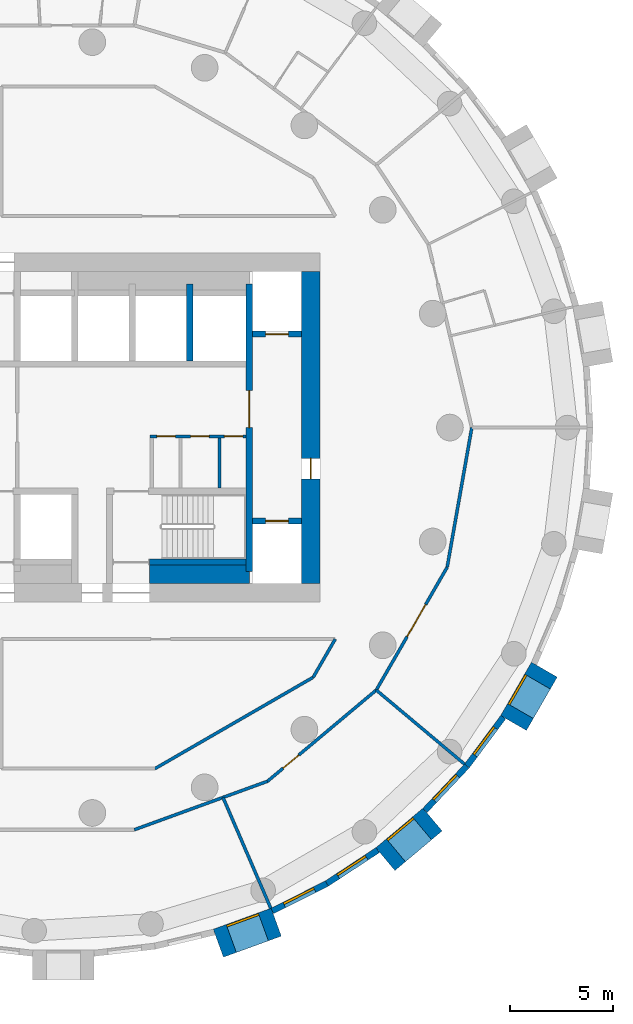
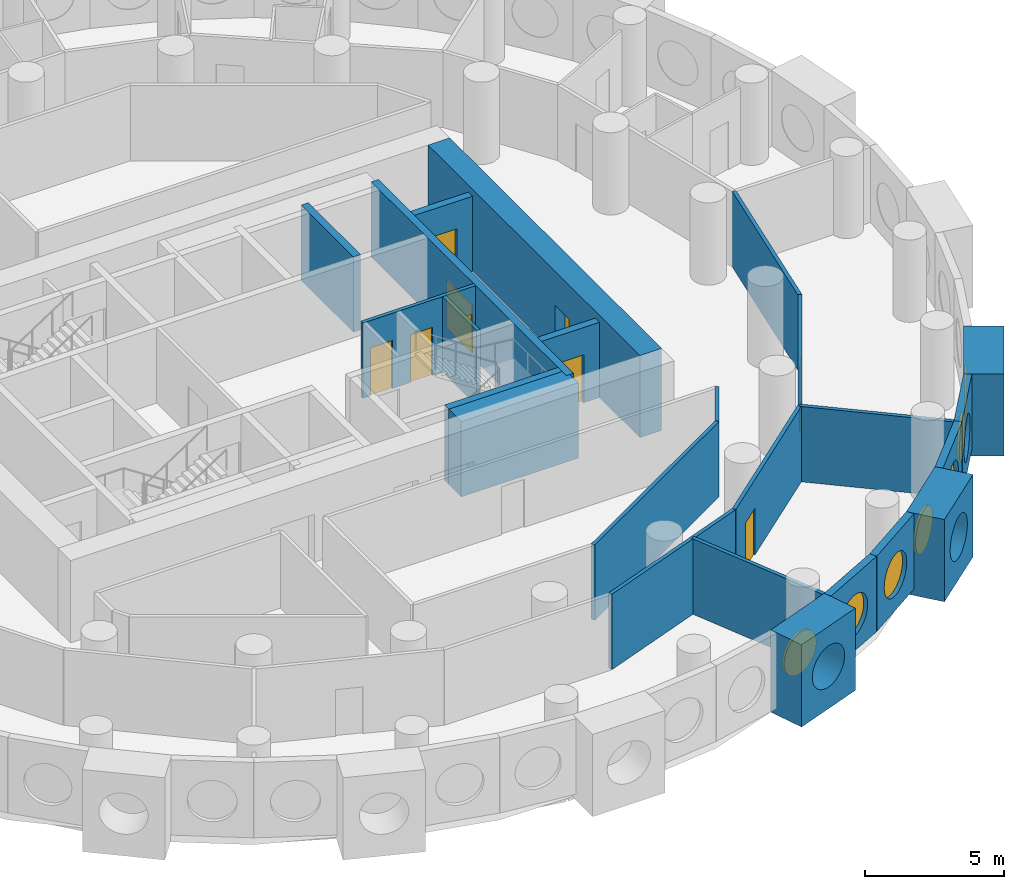
# One storey, part 4 of 9: 24 walls, 9 doors, 7 windows, 16 openings.
"""IFC4 building model written with IfcOpenShell, lengths in metres."""

from ifc_helpers import new_model, si_unit, direction, frame, frame_2d, origin, origin_2d, place, context, subcontext, project, spatial, rectangle, circle, extrude, material, layer, layer_set, type_object, element, fill, save


model = new_model("IFC4")

# Units and contexts
model_context = context("Model", 3, precision=1e-05, world=origin(), true_north=direction((0.0, 1.0)))
body_context = subcontext(model_context, "Body", "Model", "MODEL_VIEW")
ifc_project = project(units=[si_unit("LENGTHUNIT", "METRE"), si_unit("AREAUNIT", "SQUARE_METRE"), si_unit("VOLUMEUNIT", "CUBIC_METRE"), si_unit("PLANEANGLEUNIT", "RADIAN"), si_unit("MASSUNIT", "GRAM", prefix="KILO")], contexts=[model_context])

# Site, building, storey
site_placement = place(None, origin())
site = spatial("IfcSite", under=ifc_project, at=site_placement, CompositionType="ELEMENT")
building_placement = place(site_placement, origin())
building = spatial("IfcBuilding", under=site, at=building_placement, Name="Tracery Tower", CompositionType="ELEMENT")
storey_placement = place(building_placement, frame((0.0, 0.0, 169.199951171875)))
storey = spatial("IfcBuildingStorey", under=building, at=storey_placement, Name="L43", CompositionType="ELEMENT", Elevation=169.199951171875)

# Wall, openings, doors
ifc_material_1 = material(Name="Plasterboard on steel studs", Category="steel")
ifc_layer_1 = layer(ifc_material_1, 0.14990234375)
ifc_layer_set_1 = layer_set([ifc_layer_1], Name="Core room partition 150")
wall_type_1 = type_object("IfcWallType", Name="Core room partition 150", PredefinedType="SOLIDWALL", material=ifc_layer_set_1)
wall_1_placement = place(storey_placement, frame((4.22509765625, -0.425048828125, 0.0), z_axis=(0.0, 0.0, 1.0), x_axis=(1.0, 0.0, 0.0)))
wall_1 = element("IfcWall", 1, at=wall_1_placement, inside=storey, type_object=wall_type_1, Name="L43 slot N", PredefinedType="SOLIDWALL", context=body_context, shape_type="SweptSolid", body=[
    extrude(rectangle(XDim=4.6748046875, YDim=0.14990234375, at=frame_2d((2.33740234375, 0.0))), origin(), (0.0, 0.0, 1.0), 3.300048828125),
])
opening_1_placement = place(wall_1_placement, frame((0.324951171875, 0.0, 0.0)))
opening_1 = element("IfcOpeningElement", 2, at=opening_1_placement, cuts=wall_1, Name="Opening KD27", PredefinedType="OPENING", context=body_context, shape_type="SweptSolid", body=[
    extrude(rectangle(XDim=0.89990234375, YDim=2.10009765625, at=frame_2d((0.449951171875, 1.050048828125))), frame((0.0, 0.074951171875, 0.0), z_axis=(0.0, -1.0, 0.0), x_axis=(1.0, 0.0, 0.0)), (0.0, 0.0, 1.0), 0.14990234375),
])
opening_2_placement = place(wall_1_placement, frame((1.97509765625, 0.0, 0.0)))
opening_2 = element("IfcOpeningElement", 3, at=opening_2_placement, cuts=wall_1, Name="Opening KD21", PredefinedType="OPENING", context=body_context, shape_type="SweptSolid", body=[
    extrude(rectangle(XDim=0.89990234375, YDim=2.10009765625, at=frame_2d((0.449951171875, 1.050048828125))), frame((0.0, 0.074951171875, 0.0), z_axis=(0.0, -1.0, 0.0), x_axis=(1.0, 0.0, 0.0)), (0.0, 0.0, 1.0), 0.14990234375),
])
opening_3_placement = place(wall_1_placement, frame((3.612548828125, 0.0, 0.0)))
opening_3 = element("IfcOpeningElement", 4, at=opening_3_placement, cuts=wall_1, Name="Opening KD32", PredefinedType="OPENING", context=body_context, shape_type="SweptSolid", body=[
    extrude(rectangle(XDim=0.89990234375, YDim=2.10009765625, at=frame_2d((0.449951171875, 1.050048828125))), frame((0.0, 0.074951171875, 0.0), z_axis=(0.0, -1.0, 0.0), x_axis=(1.0, 0.0, 0.0)), (0.0, 0.0, 1.0), 0.14990234375),
])
ifc_material_2 = material(Name="Timber door leaf", Category="wood")
door_type_1 = type_object("IfcDoorType", Name="Core WC door 900", OperationType="NOTDEFINED", PredefinedType="DOOR", material=ifc_material_2)
door_1_placement = place(opening_2_placement, origin())
door_1 = element("IfcDoor", 5, at=door_1_placement, inside=storey, type_object=door_type_1, Name="Core door", OperationType="SINGLE_SWING_LEFT", OverallHeight=2.10009765625, OverallWidth=0.89990234375, PredefinedType="DOOR", context=body_context, shape_type="SweptSolid", body=[
    extrude(rectangle(XDim=0.89990234375, YDim=2.10009765625, at=frame_2d((0.449951171875, 1.050048828125))), frame((0.0, 0.02490234375, 0.0), z_axis=(0.0, -1.0, 0.0), x_axis=(1.0, 0.0, 0.0)), (0.0, 0.0, 1.0), 0.050048828125),
])
fill(opening_2, door_1)
ifc_material_3 = material(Name="Steel fire door", Category="steel")
door_type_2 = type_object("IfcDoorType", Name="Core riser door 900", OperationType="NOTDEFINED", PredefinedType="DOOR", material=ifc_material_3)
door_2_placement = place(opening_3_placement, origin())
door_2 = element("IfcDoor", 6, at=door_2_placement, inside=storey, type_object=door_type_2, Name="Core door", OperationType="SINGLE_SWING_RIGHT", OverallHeight=2.10009765625, OverallWidth=0.89990234375, PredefinedType="DOOR", context=body_context, shape_type="SweptSolid", body=[
    extrude(rectangle(XDim=0.89990234375, YDim=2.10009765625, at=frame_2d((0.449951171875, 1.050048828125))), frame((0.0, 0.02490234375, 0.0), z_axis=(0.0, -1.0, 0.0), x_axis=(1.0, 0.0, 0.0)), (0.0, 0.0, 1.0), 0.050048828125),
])
fill(opening_3, door_2)
ifc_material_4 = material(Name="Timber door leaf", Category="wood")
door_type_3 = type_object("IfcDoorType", Name="Core store door 900", OperationType="NOTDEFINED", PredefinedType="DOOR", material=ifc_material_4)
door_3_placement = place(opening_1_placement, origin())
door_3 = element("IfcDoor", 7, at=door_3_placement, inside=storey, type_object=door_type_3, Name="Core door", OperationType="SINGLE_SWING_RIGHT", OverallHeight=2.10009765625, OverallWidth=0.89990234375, PredefinedType="DOOR", context=body_context, shape_type="SweptSolid", body=[
    extrude(rectangle(XDim=0.89990234375, YDim=2.10009765625, at=frame_2d((0.449951171875, 1.050048828125))), frame((0.0, 0.02490234375, 0.0), z_axis=(0.0, -1.0, 0.0), x_axis=(1.0, 0.0, 0.0)), (0.0, 0.0, 1.0), 0.050048828125),
])
fill(opening_1, door_3)

# Walls
wall_2_placement = place(storey_placement, frame((7.60009765625, -2.949951171875, 0.0), z_axis=(0.0, 0.0, 1.0), x_axis=(0.0, 1.0, 0.0)))
element("IfcWall", 8, at=wall_2_placement, inside=storey, type_object=wall_type_1, Name="L43 slot sep 2", PredefinedType="SOLIDWALL", context=body_context, shape_type="SweptSolid", body=[
    extrude(rectangle(XDim=2.449951171875, YDim=0.14990234375, at=frame_2d((1.22509765625, 0.0))), origin(), (0.0, 0.0, 1.0), 3.300048828125),
])
ifc_material_5 = material(Name="Concrete C50/60", Category="concrete")
ifc_layer_2 = layer(ifc_material_5, 0.89990234375)
ifc_layer_set_2 = layer_set([ifc_layer_2], Name="Core strip wall 900 C50")
wall_type_2 = type_object("IfcWallType", Name="Core strip wall 900 C50", PredefinedType="SOLIDWALL", material=ifc_layer_set_2)
wall_3_placement = place(storey_placement, frame((4.199951171875, -7.14990234375, 0.0), z_axis=(0.0, 0.0, 1.0), x_axis=(1.0, 0.0, 0.0)))
element("IfcWall", 9, at=wall_3_placement, inside=storey, type_object=wall_type_2, Name="L43 F thick S E", PredefinedType="SOLIDWALL", context=body_context, shape_type="SweptSolid", body=[
    extrude(rectangle(XDim=4.85009765625, YDim=0.89990234375, at=frame_2d((2.425048828125, 0.0))), origin(), (0.0, 0.0, 1.0), 3.300048828125),
])

# Wall, opening, door
ifc_material_6 = material(Name="Concrete C50/60", Category="concrete")
ifc_layer_3 = layer(ifc_material_6, 0.89990234375)
ifc_layer_set_3 = layer_set([ifc_layer_3], Name="Core wall 900 C50")
wall_type_3 = type_object("IfcWallType", Name="Core wall 900 C50", PredefinedType="SOLIDWALL", material=ifc_layer_set_3)
wall_4_placement = place(storey_placement, frame((12.050048828125, -7.60009765625, 0.0), z_axis=(0.0, 0.0, 1.0), x_axis=(0.0, 1.0, 0.0)))
wall_4 = element("IfcWall", 10, at=wall_4_placement, inside=storey, type_object=wall_type_3, Name="L43 outer E", PredefinedType="SOLIDWALL", context=body_context, shape_type="SweptSolid", body=[
    extrude(rectangle(XDim=15.2001953125, YDim=0.89990234375, at=frame_2d((7.60009765625, 0.0))), origin(), (0.0, 0.0, 1.0), 3.60009765625),
])
opening_4_placement = place(wall_4_placement, frame((5.10009765625, 0.0, 0.0)))
opening_4 = element("IfcOpeningElement", 11, at=opening_4_placement, cuts=wall_4, Name="Opening KD18", PredefinedType="OPENING", context=body_context, shape_type="SweptSolid", body=[
    extrude(rectangle(XDim=1.0, YDim=2.10009765625, at=frame_2d((0.5, 1.050048828125))), frame((0.0, 0.449951171875, 0.0), z_axis=(0.0, -1.0, 0.0), x_axis=(1.0, 0.0, 0.0)), (0.0, 0.0, 1.0), 0.89990234375),
])
ifc_material_7 = material(Name="Steel fire door", Category="steel")
door_type_4 = type_object("IfcDoorType", Name="Core exit door 1000", OperationType="NOTDEFINED", PredefinedType="DOOR", material=ifc_material_7)
door_4_placement = place(opening_4_placement, origin())
door_4 = element("IfcDoor", 12, at=door_4_placement, inside=storey, type_object=door_type_4, Name="Core exit door", OperationType="DOUBLE_DOOR_SINGLE_SWING", OverallHeight=2.10009765625, OverallWidth=1.0, PredefinedType="DOOR", context=body_context, shape_type="SweptSolid", body=[
    extrude(rectangle(XDim=1.0, YDim=2.10009765625, at=frame_2d((0.5, 1.050048828125))), frame((0.0, 0.02490234375, 0.0), z_axis=(0.0, -1.0, 0.0), x_axis=(1.0, 0.0, 0.0)), (0.0, 0.0, 1.0), 0.050048828125),
])
fill(opening_4, door_4)

# Wall, opening, window
ifc_material_8 = material(Name="Precast concrete C50/60", Category="concrete")
ifc_layer_4 = layer(ifc_material_8, 1.449951171875)
ifc_layer_set_4 = layer_set([ifc_layer_4], Name="Deep-set bay unit 3000 x 3600, slab edge 300")
wall_type_4 = type_object("IfcWallType", Name="Deep-set bay unit 3000 x 3600, slab edge 300", PredefinedType="ELEMENTEDWALL", material=ifc_layer_set_4)
wall_5_placement = place(storey_placement, frame((7.544189453125, -25.11328125, -0.300048828125), z_axis=(0.0, 0.0, 1.0), x_axis=(0.939686455819, 0.342037080957, 0.0)))
wall_5 = element("IfcWall", 13, at=wall_5_placement, inside=storey, type_object=wall_type_4, Name="Deep-set bay unit 44 at L43", PredefinedType="ELEMENTEDWALL", context=body_context, shape_type="SweptSolid", body=[
    extrude(rectangle(XDim=3.0, YDim=1.449951171875, at=frame_2d((1.5, 0.0))), origin(), (0.0, 0.0, 1.0), 3.60009765625),
])
opening_5_placement = place(wall_5_placement, frame((1.5, 0.0, 1.85009765625)))
opening_5 = element("IfcOpeningElement", 14, at=opening_5_placement, cuts=wall_5, Name="Opening WN1", PredefinedType="OPENING", context=body_context, shape_type="SweptSolid", body=[
    extrude(circle(Radius=0.9000244140625, at=origin_2d()), frame((0.0, 0.73486328125, 0.0), z_axis=(0.0, -1.0, 0.0), x_axis=(1.0, 0.0, 0.0)), (0.0, 0.0, 1.0), 1.469970703125),
])
ifc_material_9 = material(Name="Aluminium frame with tinted double glazing", Category="aluminium")
window_type = type_object("IfcWindowType", Name="Round window 1800", PartitioningType="SINGLE_PANEL", PredefinedType="WINDOW", material=ifc_material_9)
window_1_placement = place(opening_5_placement, origin())
window_1 = element("IfcWindow", 15, at=window_1_placement, inside=storey, type_object=window_type, Name="Round window 44 at L43", OverallHeight=1.800048828125, OverallWidth=1.800048828125, PartitioningType="SINGLE_PANEL", PredefinedType="WINDOW", context=body_context, shape_type="SweptSolid", body=[
    extrude(circle(Radius=0.9000244140625, at=origin_2d()), frame((0.0, 0.69482421875, 0.0), z_axis=(0.0, -1.0, 0.0), x_axis=(1.0, 0.0, 0.0)), (0.0, 0.0, 1.0), 0.10009765625),
])
fill(opening_5, window_1)

wall_6_placement = place(storey_placement, frame((15.678466796875, -21.0185546875, -0.300048828125), z_axis=(0.0, 0.0, 1.0), x_axis=(0.766022196139, 0.642814121673, 0.0)))
wall_6 = element("IfcWall", 16, at=wall_6_placement, inside=storey, type_object=wall_type_4, Name="Deep-set bay unit 47 at L43", PredefinedType="ELEMENTEDWALL", context=body_context, shape_type="SweptSolid", body=[
    extrude(rectangle(XDim=3.0, YDim=1.449951171875, at=frame_2d((1.5, 0.0))), origin(), (0.0, 0.0, 1.0), 3.60009765625),
])
opening_6_placement = place(wall_6_placement, frame((1.5, 0.0, 1.85009765625)))
opening_6 = element("IfcOpeningElement", 17, at=opening_6_placement, cuts=wall_6, Name="Opening WN1", PredefinedType="OPENING", context=body_context, shape_type="SweptSolid", body=[
    extrude(circle(Radius=0.9000244140625, at=origin_2d()), frame((0.0, 0.73486328125, 0.0), z_axis=(0.0, -1.0, 0.0), x_axis=(1.0, 0.0, 0.0)), (0.0, 0.0, 1.0), 1.469970703125),
])
window_2_placement = place(opening_6_placement, origin())
window_2 = element("IfcWindow", 18, at=window_2_placement, inside=storey, type_object=window_type, Name="Round window 47 at L43", OverallHeight=1.800048828125, OverallWidth=1.800048828125, PartitioningType="SINGLE_PANEL", PredefinedType="WINDOW", context=body_context, shape_type="SweptSolid", body=[
    extrude(circle(Radius=0.9000244140625, at=origin_2d()), frame((0.0, 0.69482421875, 0.0), z_axis=(0.0, -1.0, 0.0), x_axis=(1.0, 0.0, 0.0)), (0.0, 0.0, 1.0), 0.10009765625),
])
fill(opening_6, window_2)

wall_7_placement = place(storey_placement, frame((21.921630859375, -14.388671875, -0.300048828125), z_axis=(0.0, 0.0, 1.0), x_axis=(0.499990139034, 0.866031096941, 0.0)))
wall_7 = element("IfcWall", 19, at=wall_7_placement, inside=storey, type_object=wall_type_4, Name="Deep-set bay unit 50 at L43", PredefinedType="ELEMENTEDWALL", context=body_context, shape_type="SweptSolid", body=[
    extrude(rectangle(XDim=3.0, YDim=1.449951171875, at=frame_2d((1.5, 0.0))), origin(), (0.0, 0.0, 1.0), 3.60009765625),
])
opening_7_placement = place(wall_7_placement, frame((1.5, 0.0, 1.85009765625)))
opening_7 = element("IfcOpeningElement", 20, at=opening_7_placement, cuts=wall_7, Name="Opening WN1", PredefinedType="OPENING", context=body_context, shape_type="SweptSolid", body=[
    extrude(circle(Radius=0.9000244140625, at=origin_2d()), frame((0.0, 0.73486328125, 0.0), z_axis=(0.0, -1.0, 0.0), x_axis=(1.0, 0.0, 0.0)), (0.0, 0.0, 1.0), 1.469970703125),
])
window_3_placement = place(opening_7_placement, origin())
window_3 = element("IfcWindow", 21, at=window_3_placement, inside=storey, type_object=window_type, Name="Round window 50 at L43", OverallHeight=1.800048828125, OverallWidth=1.800048828125, PartitioningType="SINGLE_PANEL", PredefinedType="WINDOW", context=body_context, shape_type="SweptSolid", body=[
    extrude(circle(Radius=0.9000244140625, at=origin_2d()), frame((0.0, 0.69482421875, 0.0), z_axis=(0.0, -1.0, 0.0), x_axis=(1.0, 0.0, 0.0)), (0.0, 0.0, 1.0), 0.10009765625),
])
fill(opening_7, window_3)

ifc_material_10 = material(Name="Precast concrete C50/60", Category="concrete")
ifc_layer_5 = layer(ifc_material_10, 0.300048828125)
ifc_layer_set_5 = layer_set([ifc_layer_5], Name="Facade panel 3000 x 3300")
wall_type_5 = type_object("IfcWallType", Name="Facade panel 3000 x 3300", PredefinedType="SOLIDWALL", material=ifc_layer_set_5)
wall_8_placement = place(storey_placement, frame((10.1669921875, -23.545654296875, 0.0), z_axis=(0.0, 0.0, 1.0), x_axis=(0.893637442555, 0.448789618045, 0.0)))
wall_8 = element("IfcWall", 22, at=wall_8_placement, inside=storey, type_object=wall_type_5, Name="Facade panel 45 at L43", PredefinedType="SOLIDWALL", context=body_context, shape_type="SweptSolid", body=[
    extrude(rectangle(XDim=2.972900390625, YDim=0.300048828125, at=frame_2d((1.486328125, 0.0))), origin(), (0.0, 0.0, 1.0), 3.300048828125),
])
opening_8_placement = place(wall_8_placement, frame((1.486328125, 0.0, 1.5498046875)))
opening_8 = element("IfcOpeningElement", 23, at=opening_8_placement, cuts=wall_8, Name="Opening WN1", PredefinedType="OPENING", context=body_context, shape_type="SweptSolid", body=[
    extrude(circle(Radius=0.9000244140625, at=origin_2d()), frame((0.0, 0.159912109375, 0.0), z_axis=(0.0, -1.0, 0.0), x_axis=(1.0, 0.0, 0.0)), (0.0, 0.0, 1.0), 0.320068359375),
])
window_4_placement = place(opening_8_placement, origin())
window_4 = element("IfcWindow", 24, at=window_4_placement, inside=storey, type_object=window_type, Name="Round window 45 at L43", OverallHeight=1.800048828125, OverallWidth=1.800048828125, PartitioningType="SINGLE_PANEL", PredefinedType="WINDOW", context=body_context, shape_type="SweptSolid", body=[
    extrude(circle(Radius=0.9000244140625, at=origin_2d()), frame((0.0, 0.1201171875, 0.0), z_axis=(0.0, -1.0, 0.0), x_axis=(1.0, 0.0, 0.0)), (0.0, 0.0, 1.0), 0.10009765625),
])
fill(opening_8, window_4)

wall_9_placement = place(storey_placement, frame((12.82373046875, -22.21142578125, 0.0), z_axis=(0.0, 0.0, 1.0), x_axis=(0.835470659512, 0.549535055382, 0.0)))
wall_9 = element("IfcWall", 25, at=wall_9_placement, inside=storey, type_object=wall_type_5, Name="Facade panel 46 at L43", PredefinedType="SOLIDWALL", context=body_context, shape_type="SweptSolid", body=[
    extrude(rectangle(XDim=2.97314453125, YDim=0.300048828125, at=frame_2d((1.486572265625, 0.0))), origin(), (0.0, 0.0, 1.0), 3.300048828125),
])
opening_9_placement = place(wall_9_placement, frame((1.486328125, 0.0, 1.5498046875)))
opening_9 = element("IfcOpeningElement", 26, at=opening_9_placement, cuts=wall_9, Name="Opening WN1", PredefinedType="OPENING", context=body_context, shape_type="SweptSolid", body=[
    extrude(circle(Radius=0.9000244140625, at=origin_2d()), frame((0.0, 0.159912109375, 0.0), z_axis=(0.0, -1.0, 0.0), x_axis=(1.0, 0.0, 0.0)), (0.0, 0.0, 1.0), 0.320068359375),
])
window_5_placement = place(opening_9_placement, origin())
window_5 = element("IfcWindow", 27, at=window_5_placement, inside=storey, type_object=window_type, Name="Round window 46 at L43", OverallHeight=1.800048828125, OverallWidth=1.800048828125, PartitioningType="SINGLE_PANEL", PredefinedType="WINDOW", context=body_context, shape_type="SweptSolid", body=[
    extrude(circle(Radius=0.9000244140625, at=origin_2d()), frame((0.0, 0.1201171875, 0.0), z_axis=(0.0, -1.0, 0.0), x_axis=(1.0, 0.0, 0.0)), (0.0, 0.0, 1.0), 0.10009765625),
])
fill(opening_9, window_5)

wall_10_placement = place(storey_placement, frame((17.60693359375, -18.648193359375, 0.0), z_axis=(0.0, 0.0, 1.0), x_axis=(0.686235184166, 0.727379730273, 0.0)))
wall_10 = element("IfcWall", 28, at=wall_10_placement, inside=storey, type_object=wall_type_5, Name="Facade panel 48 at L43", PredefinedType="SOLIDWALL", context=body_context, shape_type="SweptSolid", body=[
    extrude(rectangle(XDim=2.972900390625, YDim=0.300048828125, at=frame_2d((1.486328125, 0.0))), origin(), (0.0, 0.0, 1.0), 3.300048828125),
])
opening_10_placement = place(wall_10_placement, frame((1.486328125, 0.0, 1.5498046875)))
opening_10 = element("IfcOpeningElement", 29, at=opening_10_placement, cuts=wall_10, Name="Opening WN1", PredefinedType="OPENING", context=body_context, shape_type="SweptSolid", body=[
    extrude(circle(Radius=0.9000244140625, at=origin_2d()), frame((0.0, 0.159912109375, 0.0), z_axis=(0.0, -1.0, 0.0), x_axis=(1.0, 0.0, 0.0)), (0.0, 0.0, 1.0), 0.320068359375),
])
window_6_placement = place(opening_10_placement, origin())
window_6 = element("IfcWindow", 30, at=window_6_placement, inside=storey, type_object=window_type, Name="Round window 48 at L43", OverallHeight=1.800048828125, OverallWidth=1.800048828125, PartitioningType="SINGLE_PANEL", PredefinedType="WINDOW", context=body_context, shape_type="SweptSolid", body=[
    extrude(circle(Radius=0.9000244140625, at=origin_2d()), frame((0.0, 0.1201171875, 0.0), z_axis=(0.0, -1.0, 0.0), x_axis=(1.0, 0.0, 0.0)), (0.0, 0.0, 1.0), 0.10009765625),
])
fill(opening_10, window_6)

wall_11_placement = place(storey_placement, frame((19.64697265625, -16.48583984375, 0.0), z_axis=(0.0, 0.0, 1.0), x_axis=(0.597197580538, 0.80209416517, 0.0)))
wall_11 = element("IfcWall", 31, at=wall_11_placement, inside=storey, type_object=wall_type_5, Name="Facade panel 49 at L43", PredefinedType="SOLIDWALL", context=body_context, shape_type="SweptSolid", body=[
    extrude(rectangle(XDim=2.972900390625, YDim=0.300048828125, at=frame_2d((1.486328125, 0.0))), origin(), (0.0, 0.0, 1.0), 3.300048828125),
])
opening_11_placement = place(wall_11_placement, frame((1.486328125, 0.0, 1.5498046875)))
opening_11 = element("IfcOpeningElement", 32, at=opening_11_placement, cuts=wall_11, Name="Opening WN1", PredefinedType="OPENING", context=body_context, shape_type="SweptSolid", body=[
    extrude(circle(Radius=0.9000244140625, at=origin_2d()), frame((0.0, 0.159912109375, 0.0), z_axis=(0.0, -1.0, 0.0), x_axis=(1.0, 0.0, 0.0)), (0.0, 0.0, 1.0), 0.320068359375),
])
window_7_placement = place(opening_11_placement, origin())
window_7 = element("IfcWindow", 33, at=window_7_placement, inside=storey, type_object=window_type, Name="Round window 49 at L43", OverallHeight=1.800048828125, OverallWidth=1.800048828125, PartitioningType="SINGLE_PANEL", PredefinedType="WINDOW", context=body_context, shape_type="SweptSolid", body=[
    extrude(circle(Radius=0.9000244140625, at=origin_2d()), frame((0.0, 0.1201171875, 0.0), z_axis=(0.0, -1.0, 0.0), x_axis=(1.0, 0.0, 0.0)), (0.0, 0.0, 1.0), 0.10009765625),
])
fill(opening_11, window_7)

# Walls
ifc_material_11 = material(Name="Plasterboard on steel studs", Category="steel")
ifc_layer_6 = layer(ifc_material_11, 0.14990234375)
ifc_layer_set_6 = layer_set([ifc_layer_6], Name="Partition 150 acoustic unit wall")
wall_type_6 = type_object("IfcWallType", Name="Partition 150 acoustic unit wall", PredefinedType="PARTITIONING", material=ifc_layer_set_6)
wall_12_placement = place(storey_placement, frame((7.77099609375, -18.013916015625, 0.0), z_axis=(0.0, 0.0, 1.0), x_axis=(0.39601833725, -0.918242602236, 0.0)))
element("IfcWall", 34, at=wall_12_placement, inside=storey, type_object=wall_type_6, Name="Unit wall RB5-065", PredefinedType="PARTITIONING", context=body_context, shape_type="SweptSolid", body=[
    extrude(rectangle(XDim=5.87890625, YDim=0.14990234375, at=frame_2d((2.939453125, 0.0))), origin(), (0.0, 0.0, 1.0), 3.300048828125),
])
wall_13_placement = place(storey_placement, frame((15.235107421875, -12.783935546875, 0.0), z_axis=(0.0, 0.0, 1.0), x_axis=(0.76609059793, -0.642732600514, 0.0)))
element("IfcWall", 35, at=wall_13_placement, inside=storey, type_object=wall_type_6, Name="Unit wall RB5-066", PredefinedType="PARTITIONING", context=body_context, shape_type="SweptSolid", body=[
    extrude(rectangle(XDim=5.60888671875, YDim=0.14990234375, at=frame_2d((2.804443359375, 0.0))), origin(), (0.0, 0.0, 1.0), 3.300048828125),
])
ifc_material_12 = material(Name="Plasterboard on steel studs", Category="steel")
ifc_layer_7 = layer(ifc_material_12, 0.14990234375)
ifc_layer_set_7 = layer_set([ifc_layer_7], Name="Partition 150 corridor wall")
wall_type_7 = type_object("IfcWallType", Name="Partition 150 corridor wall", PredefinedType="PARTITIONING", material=ifc_layer_set_7)
wall_14_placement = place(storey_placement, frame((12.162109375, -12.162109375, 0.0), z_axis=(0.0, 0.0, 1.0), x_axis=(0.499961633463, 0.866047553582, 0.0)))
element("IfcWall", 36, at=wall_14_placement, inside=storey, type_object=wall_type_7, Name="Corridor wall RB5-006", PredefinedType="PARTITIONING", context=body_context, shape_type="SweptSolid", body=[
    extrude(rectangle(XDim=2.150146484375, YDim=0.14990234375, at=frame_2d((1.0751953125, 0.0))), origin(), (0.0, 0.0, 1.0), 3.300048828125),
])

# Wall, opening, door
wall_15_placement = place(storey_placement, frame((9.943359375, -17.22216796875, 0.0), z_axis=(0.0, 0.0, 1.0), x_axis=(0.766192104565, 0.642611592567, 0.0)))
wall_15 = element("IfcWall", 37, at=wall_15_placement, inside=storey, type_object=wall_type_7, Name="Corridor wall RB5-010", PredefinedType="PARTITIONING", context=body_context, shape_type="SweptSolid", body=[
    extrude(rectangle(XDim=6.906494140625, YDim=0.14990234375, at=frame_2d((3.453125, 0.0))), origin(), (0.0, 0.0, 1.0), 3.300048828125),
])
opening_12_placement = place(wall_15_placement, frame((0.983642578125, 0.0, 0.0)))
opening_12 = element("IfcOpeningElement", 38, at=opening_12_placement, cuts=wall_15, Name="Opening RB5-24", PredefinedType="OPENING", context=body_context, shape_type="SweptSolid", body=[
    extrude(rectangle(XDim=1.0, YDim=2.0400390625, at=frame_2d((0.5, 1.02001953125))), frame((0.0, 0.074951171875, 0.0), z_axis=(0.0, -1.0, 0.0), x_axis=(1.0, 0.0, 0.0)), (0.0, 0.0, 1.0), 0.14990234375),
])
ifc_material_13 = material(Name="Timber door leaf", Category="wood")
door_type_5 = type_object("IfcDoorType", Name="Door communal room 1000", OperationType="NOTDEFINED", PredefinedType="DOOR", material=ifc_material_13)
door_5_placement = place(opening_12_placement, origin())
door_5 = element("IfcDoor", 39, at=door_5_placement, inside=storey, type_object=door_type_5, Name="Communal room door RB5-24", OperationType="SINGLE_SWING_RIGHT", OverallHeight=2.0400390625, OverallWidth=1.0, PredefinedType="DOOR", context=body_context, shape_type="SweptSolid", body=[
    extrude(rectangle(XDim=1.0, YDim=2.0400390625, at=frame_2d((0.5, 1.02001953125))), frame((0.0, 0.02490234375, 0.0), z_axis=(0.0, -1.0, 0.0), x_axis=(1.0, 0.0, 0.0)), (0.0, 0.0, 1.0), 0.050048828125),
])
fill(opening_12, door_5)

# Wall
wall_16_placement = place(storey_placement, frame((18.68798828125, -6.802001953125, 0.0), z_axis=(0.0, 0.0, 1.0), x_axis=(0.173728873845, 0.98479352069, 0.0)))
element("IfcWall", 40, at=wall_16_placement, inside=storey, type_object=wall_type_7, Name="Corridor wall RB5-011", PredefinedType="PARTITIONING", context=body_context, shape_type="SweptSolid", body=[
    extrude(rectangle(XDim=6.906982421875, YDim=0.14990234375, at=frame_2d((3.45361328125, 0.0))), origin(), (0.0, 0.0, 1.0), 3.300048828125),
])

# Wall, opening, door
wall_17_placement = place(storey_placement, frame((15.235107421875, -12.783935546875, 0.0), z_axis=(0.0, 0.0, 1.0), x_axis=(0.499914202267, 0.866074933462, 0.0)))
wall_17 = element("IfcWall", 41, at=wall_17_placement, inside=storey, type_object=wall_type_7, Name="Corridor wall RB5-012", PredefinedType="PARTITIONING", context=body_context, shape_type="SweptSolid", body=[
    extrude(rectangle(XDim=6.906982421875, YDim=0.14990234375, at=frame_2d((3.45361328125, 0.0))), origin(), (0.0, 0.0, 1.0), 3.300048828125),
])
opening_13_placement = place(wall_17_placement, frame((3.003173828125, 0.0, 0.0)))
opening_13 = element("IfcOpeningElement", 42, at=opening_13_placement, cuts=wall_17, Name="Opening RB5-25", PredefinedType="OPENING", context=body_context, shape_type="SweptSolid", body=[
    extrude(rectangle(XDim=1.800048828125, YDim=2.10009765625, at=frame_2d((0.89990234375, 1.050048828125))), frame((0.0, 0.074951171875, 0.0), z_axis=(0.0, -1.0, 0.0), x_axis=(1.0, 0.0, 0.0)), (0.0, 0.0, 1.0), 0.14990234375),
])
ifc_material_14 = material(Name="Timber door leaf", Category="wood")
door_type_6 = type_object("IfcDoorType", Name="Door double lounge 1800", OperationType="NOTDEFINED", PredefinedType="DOOR", material=ifc_material_14)
door_6_placement = place(opening_13_placement, origin())
door_6 = element("IfcDoor", 43, at=door_6_placement, inside=storey, type_object=door_type_6, Name="Double lounge door RB5-25", OperationType="DOUBLE_DOOR_SINGLE_SWING", OverallHeight=2.10009765625, OverallWidth=1.800048828125, PredefinedType="DOOR", context=body_context, shape_type="SweptSolid", body=[
    extrude(rectangle(XDim=1.800048828125, YDim=2.10009765625, at=frame_2d((0.89990234375, 1.050048828125))), frame((0.0, 0.02490234375, 0.0), z_axis=(0.0, -1.0, 0.0), x_axis=(1.0, 0.0, 0.0)), (0.0, 0.0, 1.0), 0.050048828125),
])
fill(opening_13, door_6)

# Walls
wall_18_placement = place(storey_placement, frame((4.451904296875, -16.614013671875, 0.0), z_axis=(0.0, 0.0, 1.0), x_axis=(0.866005203721, 0.500034985904, 0.0)))
element("IfcWall", 44, at=wall_18_placement, inside=storey, type_object=wall_type_7, Name="Corridor wall RB5-035", PredefinedType="PARTITIONING", context=body_context, shape_type="SweptSolid", body=[
    extrude(rectangle(XDim=8.903076171875, YDim=0.14990234375, at=frame_2d((4.45166015625, 0.0))), origin(), (0.0, 0.0, 1.0), 3.300048828125),
])
wall_19_placement = place(storey_placement, frame((3.452880859375, -19.5859375, 0.0), z_axis=(0.0, 0.0, 1.0), x_axis=(0.939695353595, 0.342012634901, 0.0)))
element("IfcWall", 45, at=wall_19_placement, inside=storey, type_object=wall_type_7, Name="Corridor wall RB5-036", PredefinedType="PARTITIONING", context=body_context, shape_type="SweptSolid", body=[
    extrude(rectangle(XDim=6.90771484375, YDim=0.14990234375, at=frame_2d((3.453857421875, 0.0))), origin(), (0.0, 0.0, 1.0), 3.300048828125),
])
ifc_material_15 = material(Name="Concrete C50/60", Category="concrete")
ifc_layer_8 = layer(ifc_material_15, 0.300048828125)
ifc_layer_set_8 = layer_set([ifc_layer_8], Name="Shaft wall 300 C50")
wall_type_8 = type_object("IfcWallType", Name="Shaft wall 300 C50", PredefinedType="SOLIDWALL", material=ifc_layer_set_8)
wall_20_placement = place(storey_placement, frame((6.14990234375, 3.25, 0.0), z_axis=(0.0, 0.0, 1.0), x_axis=(0.0, 1.0, 0.0)))
element("IfcWall", 46, at=wall_20_placement, inside=storey, type_object=wall_type_8, Name="L43 HR sep 3", PredefinedType="SOLIDWALL", context=body_context, shape_type="SweptSolid", body=[
    extrude(rectangle(XDim=3.75, YDim=0.300048828125, at=frame_2d((1.875, 0.0))), origin(), (0.0, 0.0, 1.0), 3.300048828125),
])

# Wall, opening, door
wall_21_placement = place(storey_placement, frame((9.199951171875, -4.550048828125, 0.0), z_axis=(0.0, 0.0, 1.0), x_axis=(1.0, 0.0, 0.0)))
wall_21 = element("IfcWall", 47, at=wall_21_placement, inside=storey, type_object=wall_type_8, Name="L43 MR E -4.55", PredefinedType="SOLIDWALL", context=body_context, shape_type="SweptSolid", body=[
    extrude(rectangle(XDim=2.400146484375, YDim=0.300048828125, at=frame_2d((1.2001953125, 0.0))), origin(), (0.0, 0.0, 1.0), 3.300048828125),
])
opening_14_placement = place(wall_21_placement, frame((0.64990234375, 0.0, 0.0)))
opening_14 = element("IfcOpeningElement", 48, at=opening_14_placement, cuts=wall_21, Name="Opening KD50", PredefinedType="OPENING", context=body_context, shape_type="SweptSolid", body=[
    extrude(rectangle(XDim=1.10009765625, YDim=2.10009765625, at=frame_2d((0.550048828125, 1.050048828125))), frame((0.0, 0.14990234375, 0.0), z_axis=(0.0, -1.0, 0.0), x_axis=(1.0, 0.0, 0.0)), (0.0, 0.0, 1.0), 0.300048828125),
])
ifc_material_16 = material(Name="Steel fire door", Category="steel")
door_type_7 = type_object("IfcDoorType", Name="Landing door 1100", OperationType="NOTDEFINED", PredefinedType="DOOR", material=ifc_material_16)
door_7_placement = place(opening_14_placement, origin())
door_7 = element("IfcDoor", 49, at=door_7_placement, inside=storey, type_object=door_type_7, Name="Landing door MR3", OperationType="SLIDING_TO_RIGHT", OverallHeight=2.10009765625, OverallWidth=1.10009765625, PredefinedType="DOOR", context=body_context, shape_type="SweptSolid", body=[
    extrude(rectangle(XDim=1.10009765625, YDim=2.10009765625, at=frame_2d((0.550048828125, 1.050048828125))), frame((0.0, 0.02490234375, 0.0), z_axis=(0.0, -1.0, 0.0), x_axis=(1.0, 0.0, 0.0)), (0.0, 0.0, 1.0), 0.050048828125),
])
fill(opening_14, door_7)

wall_22_placement = place(storey_placement, frame((9.199951171875, 4.550048828125, 0.0), z_axis=(0.0, 0.0, 1.0), x_axis=(1.0, 0.0, 0.0)))
wall_22 = element("IfcWall", 50, at=wall_22_placement, inside=storey, type_object=wall_type_8, Name="L43 MR E +4.55", PredefinedType="SOLIDWALL", context=body_context, shape_type="SweptSolid", body=[
    extrude(rectangle(XDim=2.400146484375, YDim=0.300048828125, at=frame_2d((1.2001953125, 0.0))), origin(), (0.0, 0.0, 1.0), 3.300048828125),
])
opening_15_placement = place(wall_22_placement, frame((0.64990234375, 0.0, 0.0)))
opening_15 = element("IfcOpeningElement", 51, at=opening_15_placement, cuts=wall_22, Name="Opening KD49", PredefinedType="OPENING", context=body_context, shape_type="SweptSolid", body=[
    extrude(rectangle(XDim=1.10009765625, YDim=2.10009765625, at=frame_2d((0.550048828125, 1.050048828125))), frame((0.0, 0.14990234375, 0.0), z_axis=(0.0, -1.0, 0.0), x_axis=(1.0, 0.0, 0.0)), (0.0, 0.0, 1.0), 0.300048828125),
])
door_8_placement = place(opening_15_placement, origin())
door_8 = element("IfcDoor", 52, at=door_8_placement, inside=storey, type_object=door_type_7, Name="Landing door MR4", OperationType="SLIDING_TO_LEFT", OverallHeight=2.10009765625, OverallWidth=1.10009765625, PredefinedType="DOOR", context=body_context, shape_type="SweptSolid", body=[
    extrude(rectangle(XDim=1.10009765625, YDim=2.10009765625, at=frame_2d((0.550048828125, 1.050048828125))), frame((0.0, 0.02490234375, 0.0), z_axis=(0.0, -1.0, 0.0), x_axis=(1.0, 0.0, 0.0)), (0.0, 0.0, 1.0), 0.050048828125),
])
fill(opening_15, door_8)

ifc_material_17 = material(Name="Concrete C50/60", Category="concrete")
ifc_layer_9 = layer(ifc_material_17, 0.300048828125)
ifc_layer_set_9 = layer_set([ifc_layer_9], Name="Stair wall 300 C50")
wall_type_9 = type_object("IfcWallType", Name="Stair wall 300 C50", PredefinedType="SOLIDWALL", material=ifc_layer_set_9)
wall_23_placement = place(storey_placement, frame((9.050048828125, -7.0, 0.0), z_axis=(0.0, 0.0, 1.0), x_axis=(0.0, 1.0, 0.0)))
wall_23 = element("IfcWall", 53, at=wall_23_placement, inside=storey, type_object=wall_type_9, Name="L43 F wall +9", PredefinedType="SOLIDWALL", context=body_context, shape_type="SweptSolid", body=[
    extrude(rectangle(XDim=14.0, YDim=0.300048828125, at=frame_2d((7.0, 0.0))), origin(), (0.0, 0.0, 1.0), 3.300048828125),
])
opening_16_placement = place(wall_23_placement, frame((7.0, 0.0, 0.0)))
opening_16 = element("IfcOpeningElement", 54, at=opening_16_placement, cuts=wall_23, Name="Opening KD13", PredefinedType="OPENING", context=body_context, shape_type="SweptSolid", body=[
    extrude(rectangle(XDim=1.800048828125, YDim=2.10009765625, at=frame_2d((0.89990234375, 1.050048828125))), frame((0.0, 0.14990234375, 0.0), z_axis=(0.0, -1.0, 0.0), x_axis=(1.0, 0.0, 0.0)), (0.0, 0.0, 1.0), 0.300048828125),
])
ifc_material_18 = material(Name="Steel fire door", Category="steel")
door_type_8 = type_object("IfcDoorType", Name="Core exit door 1800 double", OperationType="NOTDEFINED", PredefinedType="DOOR", material=ifc_material_18)
door_9_placement = place(opening_16_placement, origin())
door_9 = element("IfcDoor", 55, at=door_9_placement, inside=storey, type_object=door_type_8, Name="Core exit door", OperationType="DOUBLE_DOOR_SINGLE_SWING", OverallHeight=2.10009765625, OverallWidth=1.800048828125, PredefinedType="DOOR", context=body_context, shape_type="SweptSolid", body=[
    extrude(rectangle(XDim=1.800048828125, YDim=2.10009765625, at=frame_2d((0.89990234375, 1.050048828125))), frame((0.0, 0.02490234375, 0.0), z_axis=(0.0, -1.0, 0.0), x_axis=(1.0, 0.0, 0.0)), (0.0, 0.0, 1.0), 0.050048828125),
])
fill(opening_16, door_9)

# Wall
wall_24_placement = place(storey_placement, frame((4.199951171875, -6.550048828125, 0.0), z_axis=(0.0, 0.0, 1.0), x_axis=(1.0, 0.0, 0.0)))
element("IfcWall", 56, at=wall_24_placement, inside=storey, type_object=wall_type_9, Name="L43 F stair strip S E", PredefinedType="SOLIDWALL", context=body_context, shape_type="SweptSolid", body=[
    extrude(rectangle(XDim=4.699951171875, YDim=0.300048828125, at=frame_2d((2.35009765625, 0.0))), origin(), (0.0, 0.0, 1.0), 3.300048828125),
])

save(model, "model.ifc")
